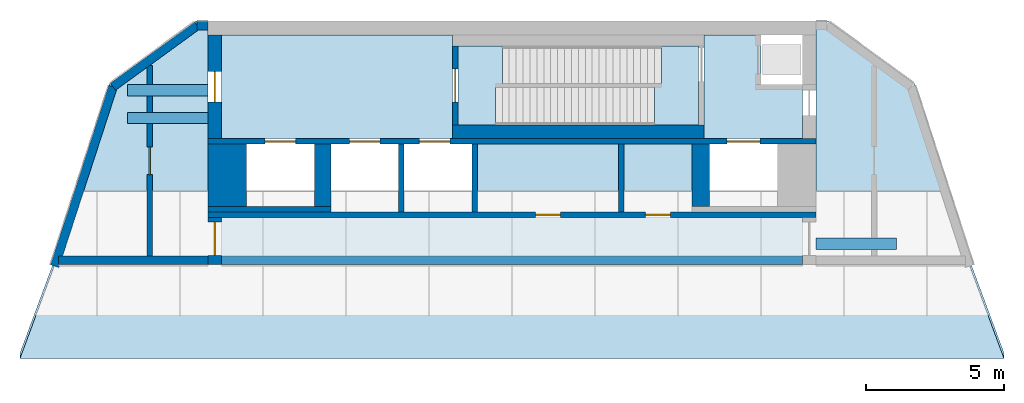
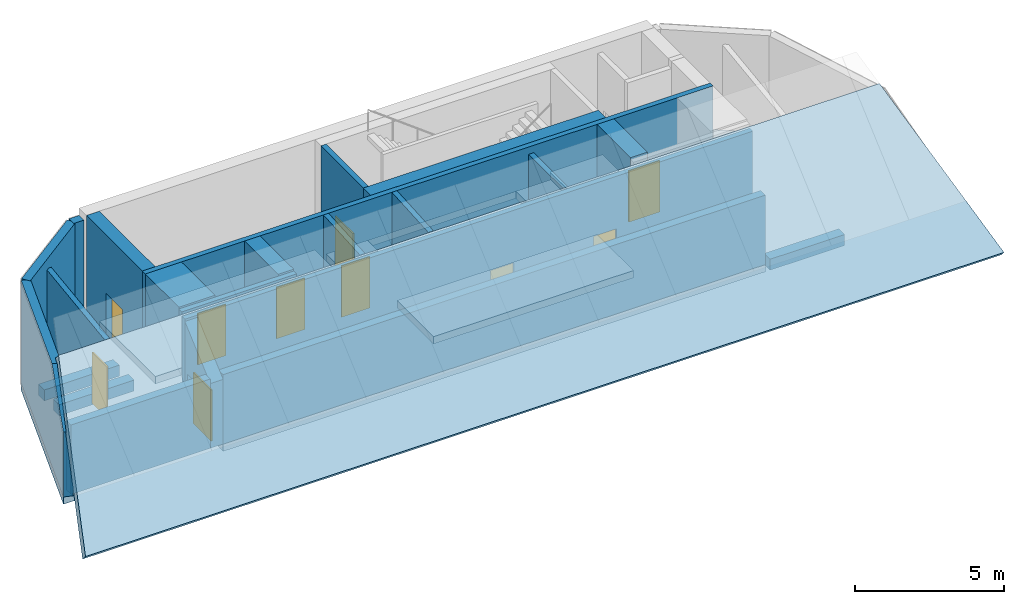
# One storey, part 1 of 4: 19 walls, 10 doors, 8 slabs, 3 beams, 10 openings.
"""IFC4 building model written with IfcOpenShell, lengths in metres."""

from ifc_helpers import new_model, si_unit, direction, frame, frame_2d, origin, origin_2d, place, context, subcontext, project, spatial, polyline, rectangle, outline, extrude, material, layer, layer_set, material_profile, profile_set, type_object, element, fill, save


model = new_model("IFC4")

# Units and contexts
model_context = context("Model", 3, precision=1e-05, world=origin(), true_north=direction((0.0, 1.0)))
body_context = subcontext(model_context, "Body", "Model", "MODEL_VIEW")
ifc_project = project(units=[si_unit("LENGTHUNIT", "METRE"), si_unit("AREAUNIT", "SQUARE_METRE"), si_unit("VOLUMEUNIT", "CUBIC_METRE"), si_unit("PLANEANGLEUNIT", "RADIAN"), si_unit("MASSUNIT", "GRAM", prefix="KILO")], contexts=[model_context])

# Site, building, storey
site_placement = place(None, origin())
site = spatial("IfcSite", under=ifc_project, at=site_placement, CompositionType="ELEMENT")
building_placement = place(site_placement, origin())
building = spatial("IfcBuilding", under=site, at=building_placement, Name="White Candle Pilgrim Tower", CompositionType="ELEMENT")
storey_placement = place(building_placement, frame((0.0, 0.0, 351.199951171875)))
storey = spatial("IfcBuildingStorey", under=building, at=storey_placement, Name="L82", CompositionType="ELEMENT", Elevation=351.199951171875)

# Beams
ifc_material_1 = material(Name="Concrete C50/60", Category="concrete")
ifc_material_profile = material_profile(ifc_material_1, rectangle(XDim=0.39990234375, YDim=0.449951171875, at=origin_2d()), Name="RC-BM 400x450")
ifc_profile_set = profile_set([ifc_material_profile], Name="Concrete C50/60")
beam_type = type_object("IfcBeamType", Name="Spandrel beam RC-BM 400x450 C50/60", PredefinedType="BEAM", material=ifc_profile_set)
for number, where, z_axis, x_axis, name in (
    (1, (59.0, 84.5, -0.52490234375), (-1.0, 0.0, 0.0), (0.0, -1.0, 0.0), "L82 bracket beam TR01"),
    (2, (59.0, 85.5, -0.52490234375), (-1.0, 0.0, 0.0), (0.0, -1.0, 0.0), "L82 bracket beam TR02"),
    (3, (81.0, 79.949951171875, -0.52490234375), (1.0, 0.0, 0.0), (0.0, 1.0, 0.0), "L82 bracket beam TR03"),
):
    element("IfcBeam", number, at=place(storey_placement, frame(where, z_axis=z_axis, x_axis=x_axis)), inside=storey, type_object=beam_type, Name=name, PredefinedType="BEAM", context=body_context, shape_type="SweptSolid", body=[
        extrude(rectangle(XDim=0.39990234375, YDim=0.449951171875, at=origin_2d()), origin(), (0.0, 0.0, 1.0), 2.89990234375),
    ])

# Slabs
ifc_material_2 = material(Name="Concrete C40/50", Category="concrete")
ifc_layer_1 = layer(ifc_material_2, 0.300048828125)
ifc_layer_set_1 = layer_set([ifc_layer_1], Name="Core floor slab 300 mm Concrete C40/50")
slab_type_1 = type_object("IfcSlabType", Name="Core floor slab 300 mm Concrete C40/50", PredefinedType="FLOOR", material=ifc_layer_set_1)
slab_1_placement = place(storey_placement, frame((0.0, 0.0, -0.300048828125)))
element("IfcSlab", 4, at=slab_1_placement, inside=storey, type_object=slab_type_1, Name="CF-L82-01", PredefinedType="FLOOR", context=body_context, shape_type="SweptSolid", body=[
    extrude(outline(polyline([(80.5, 85.5), (80.5, 83.75), (76.949951171875, 83.75), (76.949951171875, 84.25), (76.949951171875, 87.10009765625), (76.949951171875, 87.5), (79.0, 87.5), (79.0, 85.699951171875), (80.5, 85.699951171875), (80.5, 85.5)])), origin(), (0.0, 0.0, 1.0), 0.300048828125),
])
slab_2_placement = place(storey_placement, frame((0.0, 0.0, -0.300048828125)))
element("IfcSlab", 5, at=slab_2_placement, inside=storey, type_object=slab_type_1, Name="CF-L82-02", PredefinedType="FLOOR", context=body_context, shape_type="SweptSolid", body=[
    extrude(outline(polyline([(80.5, 79.19091796875), (59.5, 79.19091796875), (59.5, 80.89990234375), (80.5, 80.89990234375), (80.5, 79.19091796875)])), origin(), (0.0, 0.0, 1.0), 0.300048828125),
])
slab_3_placement = place(storey_placement, frame((0.0, 0.0, -0.300048828125)))
element("IfcSlab", 6, at=slab_3_placement, inside=storey, type_object=slab_type_1, Name="CF-L82-03", PredefinedType="FLOOR", context=body_context, shape_type="SweptSolid", body=[
    extrude(outline(polyline([(59.5, 87.5), (67.85009765625, 87.5), (67.85009765625, 87.10009765625), (67.85009765625, 84.25), (67.85009765625, 83.75), (59.5, 83.75), (59.5, 87.5)])), origin(), (0.0, 0.0, 1.0), 0.300048828125),
])
slab_4_placement = place(storey_placement, frame((0.0, 0.0, -0.300048828125)))
element("IfcSlab", 7, at=slab_4_placement, inside=storey, type_object=slab_type_1, Name="CF-L82-04", PredefinedType="FLOOR", context=body_context, shape_type="SweptSolid", body=[
    extrude(outline(polyline([(76.5, 83.550048828125), (76.5, 81.300048828125), (76.5, 81.10009765625), (68.75, 81.10009765625), (68.75, 83.550048828125), (76.5, 83.550048828125)])), origin(), (0.0, 0.0, 1.0), 0.300048828125),
])
slab_5_placement = place(storey_placement, frame((0.0, 0.0, -0.300048828125)))
element("IfcSlab", 8, at=slab_5_placement, inside=storey, type_object=slab_type_1, Name="CF-L82-05", PredefinedType="FLOOR", context=body_context, shape_type="SweptSolid", body=[
    extrude(outline(polyline([(68.050048828125, 87.10009765625), (76.75, 87.10009765625), (76.75, 84.25), (68.050048828125, 84.25), (68.050048828125, 87.10009765625)]), holes=[polyline([(75.14794921875, 84.251953125), (75.14794921875, 85.597900390625), (69.402099609375, 85.597900390625), (69.402099609375, 84.251953125), (75.14794921875, 84.251953125)]), polyline([(69.652099609375, 85.751953125), (75.39794921875, 85.751953125), (75.39794921875, 87.097900390625), (69.652099609375, 87.097900390625), (69.652099609375, 85.751953125)])]), origin(), (0.0, 0.0, 1.0), 0.300048828125),
])
ifc_layer_2 = layer(ifc_material_2, 0.300048828125)
ifc_layer_set_2 = layer_set([ifc_layer_2], Name="Floor slab 300 REI 120")
slab_type_2 = type_object("IfcSlabType", Name="Floor slab 300 REI 120", PredefinedType="FLOOR", material=ifc_layer_set_2)
slab_6_placement = place(storey_placement, frame((0.0, 0.0, -0.300048828125)))
element("IfcSlab", 9, at=slab_6_placement, inside=storey, type_object=slab_type_2, Name="L82 floor slab", PredefinedType="FLOOR", context=body_context, shape_type="SweptSolid", body=[
    extrude(outline(polyline([(53.310302734375, 79.19091796875), (59.0, 79.19091796875), (59.0, 88.0), (58.56298828125, 88.0), (55.433837890625, 85.7265625), (53.310302734375, 79.19091796875)])), origin(), (0.0, 0.0, 1.0), 0.300048828125),
])
slab_7_placement = place(storey_placement, frame((0.0, 0.0, -0.300048828125)))
element("IfcSlab", 10, at=slab_7_placement, inside=storey, type_object=slab_type_2, Name="L82 floor slab 2", PredefinedType="FLOOR", context=body_context, shape_type="SweptSolid", body=[
    extrude(outline(polyline([(81.0, 79.19091796875), (86.689697265625, 79.19091796875), (84.566162109375, 85.7265625), (81.43701171875, 88.0), (81.0, 88.0), (81.0, 79.19091796875)])), origin(), (0.0, 0.0, 1.0), 0.300048828125),
])
ifc_layer_3 = layer(ifc_material_2, 0.300048828125)
ifc_layer_set_3 = layer_set([ifc_layer_3], Name="Roof slab 300 REI 120")
slab_type_3 = type_object("IfcSlabType", Name="Roof slab 300 REI 120", PredefinedType="ROOF", material=ifc_layer_set_3)
slab_8_placement = place(storey_placement, frame((52.258056640625, 75.933837890625, 0.1162109375), z_axis=(0.0, -0.662898563541, 0.748709218893), x_axis=(0.268379143899, 0.721241595478, 0.638579044499)))
element("IfcSlab", 11, at=slab_8_placement, inside=storey, type_object=slab_type_3, Name="Roof slab L82-01", PredefinedType="ROOF", context=body_context, shape_type="SweptSolid", body=[
    extrude(outline(polyline([(0.0, 0.0), (0.21741484277545942, -3.469446951953614e-18), (0.43460826021195464, 0.00019174931980318888), (0.6518671999003783, 0.00014831471311986533), (0.8692165204239093, 0.00038349863960637776), (1.086299375738437, 0.0002910069188615666), (1.3034927931749323, 0.00048275623866478323), (1.5208421136984631, 0.0007179401651512818), (1.7381010533868868, 0.000674505558467986), (1.955294470823382, 0.0008662548782711887), (2.172643791346913, 0.0011014388047576873), (2.3899027310353365, 0.0010580041980743915), (2.607096148471832, 0.0012497535178775387), (2.8245109912472914, 0.0012497535178775387), (3.0415283243098905, 0.00139244572361924), (3.258787263998314, 0.0013490111169359165), (3.4759806814348098, 0.0015407604367391192), (3.6933955242102687, 0.0015407604367391192), (3.910588941646764, 0.0017325097565423775), (4.127782359083259, 0.0019242590763455802), (4.345197201858719, 0.0019242590763455802), (4.562214534921318, 0.002066951282087226), (4.779473474609741, 0.0020235166754039025), (4.996822795133273, 0.0022587006018903732), (5.214081734821697, 0.0022152659952070497), (5.431275152258191, 0.002407015315010197), (5.648624472781723, 0.0026421992414967788), (5.86570732809625, 0.0025497075207520092), (6.082900745532745, 0.0027414568405551565), (6.300315588308205, 0.0027414568405551565), (6.517509005744699, 0.0029332061603583037), (6.734702423181195, 0.003124955480161562), (6.864031579453311, 0.0029143686230361787), (15.39987742718042, -30.635436470481398), (15.289287634959843, -30.702488486599417), (15.103282809441293, -30.814627784926802), (14.91727798392274, -30.92676708325419), (14.73118277756908, -31.039185000114742), (14.545177952050526, -31.151324298442127), (14.359414733157799, -31.263649723581942), (14.173254004552211, -31.375832456516008), (13.987249179033657, -31.487971754843397), (13.801309875767036, -31.600346237097263), (13.615149147161446, -31.712528970031332), (13.429209843894823, -31.8249034522852), (13.243381102750167, -31.936993693498522), (13.057285896396507, -32.04941161035908), (12.871281070877954, -32.161550908686465), (12.685276245359402, -32.27369020701386), (12.499181039005745, -32.38610812387441), (12.313176213487191, -32.498247422201786), (12.127236910220567, -32.61062190445566), (11.941408169075912, -32.722712145668986), (11.755312962722252, -32.83513006252954), (11.5693081372037, -32.94726936085692), (11.383368833937077, -33.0596438431108), (11.197208105331487, -33.171826576044865), (11.011203279812936, -33.28396587437225), (10.82526397654631, -33.39634035662612), (10.639103247940723, -33.508523089560185), (10.45309842242217, -33.62066238788758), (10.267335203529443, -33.73298781302738), (10.081174474923856, -33.84517054596145), (9.895235171657232, -33.95754502821533), (9.709230346138678, -34.069684326542706), (9.52313513978502, -34.182102243403264), (9.36723080533373, -34.275971444920415), (-0.18198219071881494, -0.00026599877551827106), (0.0, 0.0)])), origin(), (0.0, 0.0, -1.0), 0.300048828125),
])

# Wall
ifc_layer_4 = layer(ifc_material_2, 1.39990234375)
ifc_layer_set_4 = layer_set([ifc_layer_4], Name="Core wall 1400 mm Concrete C40/50")
wall_type_1 = type_object("IfcWallType", Name="Core wall 1400 mm Concrete C40/50", PredefinedType="SHEAR", material=ifc_layer_set_4)
wall_1_placement = place(storey_placement, frame((59.699951171875, 81.300048828125, 0.0), z_axis=(0.0, 0.0, 1.0), x_axis=(0.0, 1.0, 0.0)))
element("IfcWall", 12, at=wall_1_placement, inside=storey, type_object=wall_type_1, Name="WL-L82-C09", PredefinedType="SHEAR", context=body_context, shape_type="SweptSolid", body=[
    extrude(rectangle(XDim=2.25, YDim=1.39990234375, at=frame_2d((1.125, 0.0))), origin(), (0.0, 0.0, 1.0), 4.5),
])

# Wall, openings, doors
ifc_layer_5 = layer(ifc_material_2, 0.199951171875)
ifc_layer_set_5 = layer_set([ifc_layer_5], Name="Core wall 200 mm Concrete C40/50")
wall_type_2 = type_object("IfcWallType", Name="Core wall 200 mm Concrete C40/50", PredefinedType="SHEAR", material=ifc_layer_set_5)
wall_2_placement = place(storey_placement, frame((59.0, 81.0, 0.0), z_axis=(0.0, 0.0, 1.0), x_axis=(1.0, 0.0, 0.0)))
wall_2 = element("IfcWall", 13, at=wall_2_placement, inside=storey, type_object=wall_type_2, Name="WL-L82-C03", PredefinedType="SHEAR", context=body_context, shape_type="SweptSolid", body=[
    extrude(rectangle(XDim=22.0, YDim=0.199951171875, at=frame_2d((11.0, 0.0))), origin(), (0.0, 0.0, 1.0), 4.251953125),
])
opening_1_placement = place(wall_2_placement, frame((11.85009765625, 0.0, 0.0)))
opening_1 = element("IfcOpeningElement", 14, at=opening_1_placement, cuts=wall_2, Name="Opening L82-012", PredefinedType="OPENING", context=body_context, shape_type="SweptSolid", body=[
    extrude(rectangle(XDim=0.89990234375, YDim=2.10009765625, at=frame_2d((0.449951171875, 1.050048828125))), frame((0.0, 0.10986328125, 0.0), z_axis=(0.0, -1.0, 0.0), x_axis=(1.0, 0.0, 0.0)), (0.0, 0.0, 1.0), 0.219970703125),
])
opening_2_placement = place(wall_2_placement, frame((15.824951171875, 0.0, 0.0)))
opening_2 = element("IfcOpeningElement", 15, at=opening_2_placement, cuts=wall_2, Name="Opening L82-013", PredefinedType="OPENING", context=body_context, shape_type="SweptSolid", body=[
    extrude(rectangle(XDim=0.89990234375, YDim=2.10009765625, at=frame_2d((0.449951171875, 1.050048828125))), frame((0.0, 0.10986328125, 0.0), z_axis=(0.0, -1.0, 0.0), x_axis=(1.0, 0.0, 0.0)), (0.0, 0.0, 1.0), 0.219970703125),
])
ifc_material_3 = material(Name="Steel door leaf", Category="steel")
door_type_1 = type_object("IfcDoorType", Name="Fire door 900 x 2100 EI 30", OperationType="NOTDEFINED", PredefinedType="DOOR", material=ifc_material_3)
door_1_placement = place(opening_1_placement, origin())
door_1 = element("IfcDoor", 16, at=door_1_placement, inside=storey, type_object=door_type_1, Name="Door L82-012", OperationType="SINGLE_SWING_LEFT", OverallHeight=2.10009765625, OverallWidth=0.89990234375, PredefinedType="DOOR", context=body_context, shape_type="SweptSolid", body=[
    extrude(rectangle(XDim=0.89990234375, YDim=2.10009765625, at=frame_2d((0.449951171875, 1.050048828125))), frame((0.0, 0.02490234375, 0.0), z_axis=(0.0, -1.0, 0.0), x_axis=(1.0, 0.0, 0.0)), (0.0, 0.0, 1.0), 0.050048828125),
])
fill(opening_1, door_1)
door_2_placement = place(opening_2_placement, origin())
door_2 = element("IfcDoor", 17, at=door_2_placement, inside=storey, type_object=door_type_1, Name="Door L82-013", OperationType="SINGLE_SWING_RIGHT", OverallHeight=2.10009765625, OverallWidth=0.89990234375, PredefinedType="DOOR", context=body_context, shape_type="SweptSolid", body=[
    extrude(rectangle(XDim=0.89990234375, YDim=2.10009765625, at=frame_2d((0.449951171875, 1.050048828125))), frame((0.0, 0.02490234375, 0.0), z_axis=(0.0, -1.0, 0.0), x_axis=(1.0, 0.0, 0.0)), (0.0, 0.0, 1.0), 0.050048828125),
])
fill(opening_2, door_2)

# Wall
wall_3_placement = place(storey_placement, frame((59.0, 81.199951171875, 0.0), z_axis=(0.0, 0.0, 1.0), x_axis=(1.0, 0.0, 0.0)))
element("IfcWall", 18, at=wall_3_placement, inside=storey, type_object=wall_type_2, Name="WL-L82-C04", PredefinedType="SHEAR", context=body_context, shape_type="SweptSolid", body=[
    extrude(rectangle(XDim=4.449951171875, YDim=0.199951171875, at=frame_2d((2.22509765625, 0.0))), origin(), (0.0, 0.0, 1.0), 4.428955078125),
])

# Wall, openings, doors
wall_4_placement = place(storey_placement, frame((59.0, 83.64990234375, 0.0), z_axis=(0.0, 0.0, 1.0), x_axis=(1.0, 0.0, 0.0)))
wall_4 = element("IfcWall", 19, at=wall_4_placement, inside=storey, type_object=wall_type_2, Name="WL-L82-C13", PredefinedType="SHEAR", context=body_context, shape_type="SweptSolid", body=[
    extrude(rectangle(XDim=22.0, YDim=0.199951171875, at=frame_2d((11.0, 0.0))), origin(), (0.0, 0.0, 1.0), 4.5),
])
opening_3_placement = place(wall_4_placement, frame((5.125, 0.0, 0.0)))
opening_3 = element("IfcOpeningElement", 20, at=opening_3_placement, cuts=wall_4, Name="Opening L82-007", PredefinedType="OPENING", context=body_context, shape_type="SweptSolid", body=[
    extrude(rectangle(XDim=1.10009765625, YDim=2.10009765625, at=frame_2d((0.550048828125, 1.050048828125))), frame((0.0, 0.10986328125, 0.0), z_axis=(0.0, -1.0, 0.0), x_axis=(1.0, 0.0, 0.0)), (0.0, 0.0, 1.0), 0.219970703125),
])
opening_4_placement = place(wall_4_placement, frame((7.64990234375, 0.0, 0.0)))
opening_4 = element("IfcOpeningElement", 21, at=opening_4_placement, cuts=wall_4, Name="Opening L82-008", PredefinedType="OPENING", context=body_context, shape_type="SweptSolid", body=[
    extrude(rectangle(XDim=1.10009765625, YDim=2.10009765625, at=frame_2d((0.550048828125, 1.050048828125))), frame((0.0, 0.10986328125, 0.0), z_axis=(0.0, -1.0, 0.0), x_axis=(1.0, 0.0, 0.0)), (0.0, 0.0, 1.0), 0.219970703125),
])
opening_5_placement = place(wall_4_placement, frame((18.77490234375, 0.0, 0.0)))
opening_5 = element("IfcOpeningElement", 22, at=opening_5_placement, cuts=wall_4, Name="Opening L82-009", PredefinedType="OPENING", context=body_context, shape_type="SweptSolid", body=[
    extrude(rectangle(XDim=1.199951171875, YDim=2.10009765625, at=frame_2d((0.60009765625, 1.050048828125))), frame((0.0, 0.10986328125, 0.0), z_axis=(0.0, -1.0, 0.0), x_axis=(1.0, 0.0, 0.0)), (0.0, 0.0, 1.0), 0.219970703125),
])
opening_6_placement = place(wall_4_placement, frame((2.074951171875, 0.0, 0.0)))
opening_6 = element("IfcOpeningElement", 23, at=opening_6_placement, cuts=wall_4, Name="Opening L82-010", PredefinedType="OPENING", context=body_context, shape_type="SweptSolid", body=[
    extrude(rectangle(XDim=1.10009765625, YDim=2.10009765625, at=frame_2d((0.550048828125, 1.050048828125))), frame((0.0, 0.10986328125, 0.0), z_axis=(0.0, -1.0, 0.0), x_axis=(1.0, 0.0, 0.0)), (0.0, 0.0, 1.0), 0.219970703125),
])
ifc_material_4 = material(Name="Stainless steel", Category="steel")
door_type_2 = type_object("IfcDoorType", Name="Lift landing door 1100 x 2100 EI 60", OperationType="DOUBLE_DOOR_SLIDING", PredefinedType="DOOR", material=ifc_material_4)
door_3_placement = place(opening_3_placement, origin())
door_3 = element("IfcDoor", 24, at=door_3_placement, inside=storey, type_object=door_type_2, Name="Door L82-007", OperationType="DOUBLE_DOOR_SLIDING", OverallHeight=2.10009765625, OverallWidth=1.10009765625, PredefinedType="DOOR", context=body_context, shape_type="SweptSolid", body=[
    extrude(rectangle(XDim=1.10009765625, YDim=2.10009765625, at=frame_2d((0.550048828125, 1.050048828125))), frame((0.0, 0.02490234375, 0.0), z_axis=(0.0, -1.0, 0.0), x_axis=(1.0, 0.0, 0.0)), (0.0, 0.0, 1.0), 0.050048828125),
])
fill(opening_3, door_3)
door_4_placement = place(opening_4_placement, origin())
door_4 = element("IfcDoor", 25, at=door_4_placement, inside=storey, type_object=door_type_2, Name="Door L82-008", OperationType="DOUBLE_DOOR_SLIDING", OverallHeight=2.10009765625, OverallWidth=1.10009765625, PredefinedType="DOOR", context=body_context, shape_type="SweptSolid", body=[
    extrude(rectangle(XDim=1.10009765625, YDim=2.10009765625, at=frame_2d((0.550048828125, 1.050048828125))), frame((0.0, 0.02490234375, 0.0), z_axis=(0.0, -1.0, 0.0), x_axis=(1.0, 0.0, 0.0)), (0.0, 0.0, 1.0), 0.050048828125),
])
fill(opening_4, door_4)
door_5_placement = place(opening_6_placement, origin())
door_5 = element("IfcDoor", 26, at=door_5_placement, inside=storey, type_object=door_type_2, Name="Door L82-010", OperationType="DOUBLE_DOOR_SLIDING", OverallHeight=2.10009765625, OverallWidth=1.10009765625, PredefinedType="DOOR", context=body_context, shape_type="SweptSolid", body=[
    extrude(rectangle(XDim=1.10009765625, YDim=2.10009765625, at=frame_2d((0.550048828125, 1.050048828125))), frame((0.0, 0.02490234375, 0.0), z_axis=(0.0, -1.0, 0.0), x_axis=(1.0, 0.0, 0.0)), (0.0, 0.0, 1.0), 0.050048828125),
])
fill(opening_6, door_5)
door_type_3 = type_object("IfcDoorType", Name="Lift landing door 1200 x 2100 E 60", OperationType="DOUBLE_DOOR_SLIDING", PredefinedType="DOOR", material=ifc_material_4)
door_6_placement = place(opening_5_placement, origin())
door_6 = element("IfcDoor", 27, at=door_6_placement, inside=storey, type_object=door_type_3, Name="Door L82-009", OperationType="DOUBLE_DOOR_SLIDING", OverallHeight=2.10009765625, OverallWidth=1.199951171875, PredefinedType="DOOR", context=body_context, shape_type="SweptSolid", body=[
    extrude(rectangle(XDim=1.199951171875, YDim=2.10009765625, at=frame_2d((0.60009765625, 1.050048828125))), frame((0.0, 0.02490234375, 0.0), z_axis=(0.0, -1.0, 0.0), x_axis=(1.0, 0.0, 0.0)), (0.0, 0.0, 1.0), 0.050048828125),
])
fill(opening_5, door_6)

# Wall, opening, door
ifc_layer_6 = layer(ifc_material_2, 0.5)
ifc_layer_set_6 = layer_set([ifc_layer_6], Name="Core wall 500 mm Concrete C40/50")
wall_type_3 = type_object("IfcWallType", Name="Core wall 500 mm Concrete C40/50", PredefinedType="SHEAR", material=ifc_layer_set_6)
wall_5_placement = place(storey_placement, frame((59.25, 79.19091796875, 0.0), z_axis=(0.0, 0.0, 1.0), x_axis=(0.0, 1.0, 0.0)))
wall_5 = element("IfcWall", 28, at=wall_5_placement, inside=storey, type_object=wall_type_3, Name="WL-L82-C01", PredefinedType="SHEAR", context=body_context, shape_type="SweptSolid", body=[
    extrude(outline(polyline([(0.0, 0.0), (1.708984375, 0.0), (1.709228515625, 4.163330078125), (0.0, 2.650146484375), (0.0, 0.0)])), frame((0.0, 0.25, 0.0), z_axis=(0.0, -1.0, 0.0), x_axis=(1.0, 0.0, 0.0)), (0.0, 0.0, 1.0), 0.5),
])
opening_7_placement = place(wall_5_placement, frame((0.340087890625, 0.0, 0.0)))
opening_7 = element("IfcOpeningElement", 29, at=opening_7_placement, cuts=wall_5, Name="Opening L82-003", PredefinedType="OPENING", context=body_context, shape_type="SweptSolid", body=[
    extrude(rectangle(XDim=1.199951171875, YDim=2.10009765625, at=frame_2d((0.60009765625, 1.050048828125))), frame((0.0, 0.260009765625, 0.0), z_axis=(0.0, -1.0, 0.0), x_axis=(1.0, 0.0, 0.0)), (0.0, 0.0, 1.0), 0.52001953125),
])
door_type_4 = type_object("IfcDoorType", Name="Fire door 1200 x 2100 EI 60", OperationType="NOTDEFINED", PredefinedType="DOOR", material=ifc_material_3)
door_7_placement = place(opening_7_placement, origin())
door_7 = element("IfcDoor", 30, at=door_7_placement, inside=storey, type_object=door_type_4, Name="Door L82-003", OperationType="SINGLE_SWING_RIGHT", OverallHeight=2.10009765625, OverallWidth=1.199951171875, PredefinedType="DOOR", context=body_context, shape_type="SweptSolid", body=[
    extrude(rectangle(XDim=1.199951171875, YDim=2.10009765625, at=frame_2d((0.60009765625, 1.050048828125))), frame((0.0, 0.02490234375, 0.0), z_axis=(0.0, -1.0, 0.0), x_axis=(1.0, 0.0, 0.0)), (0.0, 0.0, 1.0), 0.050048828125),
])
fill(opening_7, door_7)

wall_6_placement = place(storey_placement, frame((59.25, 83.75, 0.0), z_axis=(0.0, 0.0, 1.0), x_axis=(0.0, 1.0, 0.0)))
wall_6 = element("IfcWall", 31, at=wall_6_placement, inside=storey, type_object=wall_type_3, Name="WL-L82-C14", PredefinedType="SHEAR", context=body_context, shape_type="SweptSolid", body=[
    extrude(rectangle(XDim=3.75, YDim=0.5, at=frame_2d((1.875, 0.0))), origin(), (0.0, 0.0, 1.0), 4.5),
])
opening_8_placement = place(wall_6_placement, frame((1.324951171875, 0.0, 0.0)))
opening_8 = element("IfcOpeningElement", 32, at=opening_8_placement, cuts=wall_6, Name="Opening L82-005", PredefinedType="OPENING", context=body_context, shape_type="SweptSolid", body=[
    extrude(rectangle(XDim=1.10009765625, YDim=2.10009765625, at=frame_2d((0.550048828125, 1.050048828125))), frame((0.0, 0.260009765625, 0.0), z_axis=(0.0, -1.0, 0.0), x_axis=(1.0, 0.0, 0.0)), (0.0, 0.0, 1.0), 0.52001953125),
])
door_type_5 = type_object("IfcDoorType", Name="Fire door 1100 x 2100 EI 60", OperationType="NOTDEFINED", PredefinedType="DOOR", material=ifc_material_3)
door_8_placement = place(opening_8_placement, origin())
door_8 = element("IfcDoor", 33, at=door_8_placement, inside=storey, type_object=door_type_5, Name="Door L82-005", OperationType="SINGLE_SWING_RIGHT", OverallHeight=2.10009765625, OverallWidth=1.10009765625, PredefinedType="DOOR", context=body_context, shape_type="SweptSolid", body=[
    extrude(rectangle(XDim=1.10009765625, YDim=2.10009765625, at=frame_2d((0.550048828125, 1.050048828125))), frame((0.0, 0.02490234375, 0.0), z_axis=(0.0, -1.0, 0.0), x_axis=(1.0, 0.0, 0.0)), (0.0, 0.0, 1.0), 0.050048828125),
])
fill(opening_8, door_8)

ifc_material_5 = material(Name="Gypsum board on steel studs", Category="steel")
ifc_layer_7 = layer(ifc_material_5, 0.199951171875)
ifc_layer_set_7 = layer_set([ifc_layer_7], Name="Corridor wall 200 mm EI 45")
wall_type_4 = type_object("IfcWallType", Name="Corridor wall 200 mm EI 45", PredefinedType="PARTITIONING", material=ifc_layer_set_7)
wall_7_placement = place(storey_placement, frame((56.89990234375, 79.5107421875, 0.0), z_axis=(0.0, 0.0, 1.0), x_axis=(0.0, 1.0, 0.0)))
wall_7 = element("IfcWall", 34, at=wall_7_placement, inside=storey, type_object=wall_type_4, Name="WL-L82-P001", PredefinedType="PARTITIONING", context=body_context, shape_type="SweptSolid", body=[
    extrude(outline(polyline([(0.0, 0.0), (6.885498046875, 0.0), (6.885498046875, 3.75), (0.0, 2.833251953125), (0.0, 0.0)])), frame((0.0, 0.10009765625, 0.0), z_axis=(0.0, -1.0, 0.0), x_axis=(1.0, 0.0, 0.0)), (0.0, 0.0, 1.0), 0.199951171875),
])
opening_9_placement = place(wall_7_placement, frame((2.942626953125, 0.0, 0.0)))
opening_9 = element("IfcOpeningElement", 35, at=opening_9_placement, cuts=wall_7, Name="Opening L82-101", PredefinedType="OPENING", context=body_context, shape_type="SweptSolid", body=[
    extrude(rectangle(XDim=1.0, YDim=2.10009765625, at=frame_2d((0.5, 1.050048828125))), frame((0.0, 0.10986328125, 0.0), z_axis=(0.0, -1.0, 0.0), x_axis=(1.0, 0.0, 0.0)), (0.0, 0.0, 1.0), 0.219970703125),
])
door_type_6 = type_object("IfcDoorType", Name="Fire door 1000 x 2100 EI 30", OperationType="NOTDEFINED", PredefinedType="DOOR", material=ifc_material_3)
door_9_placement = place(opening_9_placement, origin())
door_9 = element("IfcDoor", 36, at=door_9_placement, inside=storey, type_object=door_type_6, Name="Door L82-101", OperationType="SINGLE_SWING_LEFT", OverallHeight=2.10009765625, OverallWidth=1.0, PredefinedType="DOOR", context=body_context, shape_type="SweptSolid", body=[
    extrude(rectangle(XDim=1.0, YDim=2.10009765625, at=frame_2d((0.5, 1.050048828125))), frame((0.0, 0.02490234375, 0.0), z_axis=(0.0, -1.0, 0.0), x_axis=(1.0, 0.0, 0.0)), (0.0, 0.0, 1.0), 0.050048828125),
])
fill(opening_9, door_9)

# Walls
ifc_material_6 = material(Name="Precast concrete C40/50", Category="concrete")
ifc_layer_8 = layer(ifc_material_6, 0.320068359375)
ifc_layer_set_8 = layer_set([ifc_layer_8], Name="Facade wall EW4 precast concrete C40/50 crown wall with zinc cladding")
wall_type_5 = type_object("IfcWallType", Name="Facade wall EW4 precast concrete C40/50 crown wall with zinc cladding", PredefinedType="SOLIDWALL", material=ifc_layer_set_8)
wall_8_placement = place(storey_placement, frame((59.0, 87.840087890625, 0.0), z_axis=(0.0, 0.0, 1.0), x_axis=(-1.0, 0.0, 0.0)))
element("IfcWall", 37, at=wall_8_placement, inside=storey, type_object=wall_type_5, Name="Crown wall L82 N", PredefinedType="SOLIDWALL", context=body_context, shape_type="SweptSolid", body=[
    extrude(rectangle(XDim=0.385009765625, YDim=0.320068359375, at=frame_2d((0.1923828125, 0.0))), origin(), (0.0, 0.0, 1.0), 4.199951171875),
])
wall_9_placement = place(storey_placement, frame((58.614990234375, 87.840087890625, 0.0), z_axis=(0.0, 0.0, 1.0), x_axis=(-0.809022082061, -0.58777824963, 0.0)))
element("IfcWall", 38, at=wall_9_placement, inside=storey, type_object=wall_type_5, Name="Crown wall L82 NW chamfer", PredefinedType="SOLIDWALL", context=body_context, shape_type="SweptSolid", body=[
    extrude(rectangle(XDim=3.763916015625, YDim=0.320068359375, at=frame_2d((1.8818359375, 0.0))), origin(), (0.0, 0.0, 1.0), 4.199951171875),
])
wall_10_placement = place(storey_placement, frame((55.56982421875, 85.627685546875, 0.0), z_axis=(0.0, 0.0, 1.0), x_axis=(-0.309001889909, -0.951061423901, 0.0)))
element("IfcWall", 39, at=wall_10_placement, inside=storey, type_object=wall_type_5, Name="Crown wall L82 WNW", PredefinedType="SOLIDWALL", context=body_context, shape_type="SweptSolid", body=[
    extrude(outline(polyline([(0.0, 0.0), (6.820068359375, 0.0), (6.820068359375, 2.65625), (4.98681640625, 4.199951171875), (0.0, 4.199951171875), (0.0, 0.0)])), frame((0.0, 0.16015625, 0.0), z_axis=(0.0, -1.0, 0.0), x_axis=(1.0, 0.0, 0.0)), (0.0, 0.0, 1.0), 0.320068359375),
])
wall_11_placement = place(storey_placement, frame((53.60400390625, 79.350830078125, 0.0), z_axis=(0.0, 0.0, 1.0), x_axis=(1.0, 0.0, 0.0)))
element("IfcWall", 40, at=wall_11_placement, inside=storey, type_object=wall_type_5, Name="Crown wall L82 S", PredefinedType="SOLIDWALL", context=body_context, shape_type="SweptSolid", body=[
    extrude(rectangle(XDim=5.39599609375, YDim=0.320068359375, at=frame_2d((2.697998046875, 0.0))), origin(), (0.0, 0.0, 1.0), 2.841796875),
])
wall_12_placement = place(storey_placement, frame((59.5, 79.350830078125, 0.0), z_axis=(0.0, 0.0, 1.0), x_axis=(1.0, 0.0, 0.0)))
element("IfcWall", 41, at=wall_12_placement, inside=storey, type_object=wall_type_5, Name="Crown wall L82 S", PredefinedType="SOLIDWALL", context=body_context, shape_type="SweptSolid", body=[
    extrude(rectangle(XDim=21.0, YDim=0.320068359375, at=frame_2d((10.5, 0.0))), origin(), (0.0, 0.0, 1.0), 2.841796875),
])
ifc_layer_9 = layer(ifc_material_5, 0.199951171875)
ifc_layer_set_9 = layer_set([ifc_layer_9], Name="Lobby wall 200 mm EI 60")
wall_type_6 = type_object("IfcWallType", Name="Lobby wall 200 mm EI 60", PredefinedType="PARTITIONING", material=ifc_layer_set_9)
wall_13_placement = place(storey_placement, frame((73.949951171875, 81.10009765625, 0.0), z_axis=(0.0, 0.0, 1.0), x_axis=(0.0, 1.0, 0.0)))
element("IfcWall", 42, at=wall_13_placement, inside=storey, type_object=wall_type_6, Name="WL-L82-C07", PredefinedType="PARTITIONING", context=body_context, shape_type="SweptSolid", body=[
    extrude(rectangle(XDim=2.449951171875, YDim=0.199951171875, at=frame_2d((1.22509765625, 0.0))), origin(), (0.0, 0.0, 1.0), 4.199951171875),
])
ifc_layer_10 = layer(ifc_material_2, 0.199951171875)
ifc_layer_set_10 = layer_set([ifc_layer_10], Name="Shaft wall 200 mm Concrete C40/50")
wall_type_7 = type_object("IfcWallType", Name="Shaft wall 200 mm Concrete C40/50", PredefinedType="SHEAR", material=ifc_layer_set_10)
for number, where, z_axis, x_axis, name in (
    (43, (66.0, 81.10009765625, 0.0), (0.0, 0.0, 1.0), (0.0, 1.0, 0.0), "WL-L82-C05"),
    (44, (68.64990234375, 81.10009765625, 0.0), (0.0, 0.0, 1.0), (0.0, 1.0, 0.0), "WL-L82-C06"),
):
    element("IfcWall", number, at=place(storey_placement, frame(where, z_axis=z_axis, x_axis=x_axis)), inside=storey, type_object=wall_type_7, Name=name, PredefinedType="SHEAR", context=body_context, shape_type="SweptSolid", body=[
        extrude(outline(polyline([(0.0, 0.0), (2.449951171875, 0.0), (2.449951171875, 4.5), (0.0, 4.340576171875), (0.0, 0.0)])), frame((0.0, 0.10009765625, 0.0), z_axis=(0.0, -1.0, 0.0), x_axis=(1.0, 0.0, 0.0)), (0.0, 0.0, 1.0), 0.199951171875),
    ])
ifc_layer_11 = layer(ifc_material_2, 0.60009765625)
ifc_layer_set_11 = layer_set([ifc_layer_11], Name="Shaft wall 600 mm Concrete C40/50")
wall_type_8 = type_object("IfcWallType", Name="Shaft wall 600 mm Concrete C40/50", PredefinedType="SHEAR", material=ifc_layer_set_11)
wall_14_placement = place(storey_placement, frame((63.14990234375, 81.300048828125, 0.0), z_axis=(0.0, 0.0, 1.0), x_axis=(0.0, 1.0, 0.0)))
element("IfcWall", 45, at=wall_14_placement, inside=storey, type_object=wall_type_8, Name="WL-L82-C10", PredefinedType="SHEAR", context=body_context, shape_type="SweptSolid", body=[
    extrude(rectangle(XDim=2.25, YDim=0.60009765625, at=frame_2d((1.125, 0.0))), origin(), (0.0, 0.0, 1.0), 4.5),
])
ifc_layer_12 = layer(ifc_material_2, 0.64990234375)
ifc_layer_set_12 = layer_set([ifc_layer_12], Name="Shaft wall 650 mm Concrete C40/50")
wall_type_9 = type_object("IfcWallType", Name="Shaft wall 650 mm Concrete C40/50", PredefinedType="SHEAR", material=ifc_layer_set_12)
wall_15_placement = place(storey_placement, frame((76.824951171875, 81.300048828125, 0.0), z_axis=(0.0, 0.0, 1.0), x_axis=(0.0, 1.0, 0.0)))
element("IfcWall", 46, at=wall_15_placement, inside=storey, type_object=wall_type_9, Name="WL-L82-C11", PredefinedType="SHEAR", context=body_context, shape_type="SweptSolid", body=[
    extrude(rectangle(XDim=2.25, YDim=0.64990234375, at=frame_2d((1.125, 0.0))), origin(), (0.0, 0.0, 1.0), 4.5),
])

# Wall, opening, door
ifc_layer_13 = layer(ifc_material_2, 0.199951171875)
ifc_layer_set_13 = layer_set([ifc_layer_13], Name="Stair shaft wall 200 mm Concrete C40/50")
wall_type_10 = type_object("IfcWallType", Name="Stair shaft wall 200 mm Concrete C40/50", PredefinedType="SHEAR", material=ifc_layer_set_13)
wall_16_placement = place(storey_placement, frame((67.949951171875, 84.25, 0.0), z_axis=(0.0, 0.0, 1.0), x_axis=(0.0, 1.0, 0.0)))
wall_16 = element("IfcWall", 47, at=wall_16_placement, inside=storey, type_object=wall_type_10, Name="WL-L82-C17", PredefinedType="SHEAR", context=body_context, shape_type="SweptSolid", body=[
    extrude(rectangle(XDim=2.85009765625, YDim=0.199951171875, at=frame_2d((1.425048828125, 0.0))), origin(), (0.0, 0.0, 1.0), 4.5),
])
opening_10_placement = place(wall_16_placement, frame((0.824951171875, 0.0, 0.0)))
opening_10 = element("IfcOpeningElement", 48, at=opening_10_placement, cuts=wall_16, Name="Opening L82-001", PredefinedType="OPENING", context=body_context, shape_type="SweptSolid", body=[
    extrude(rectangle(XDim=1.199951171875, YDim=2.10009765625, at=frame_2d((0.60009765625, 1.050048828125))), frame((0.0, 0.10986328125, 0.0), z_axis=(0.0, -1.0, 0.0), x_axis=(1.0, 0.0, 0.0)), (0.0, 0.0, 1.0), 0.219970703125),
])
door_10_placement = place(opening_10_placement, frame((1.199951171875, 0.0, 0.0), z_axis=(0.0, 0.0, 1.0), x_axis=(-1.0, 0.0, 0.0)))
door_10 = element("IfcDoor", 49, at=door_10_placement, inside=storey, type_object=door_type_4, Name="Door L82-001", OperationType="SINGLE_SWING_RIGHT", OverallHeight=2.10009765625, OverallWidth=1.199951171875, PredefinedType="DOOR", context=body_context, shape_type="SweptSolid", body=[
    extrude(rectangle(XDim=1.199951171875, YDim=2.10009765625, at=frame_2d((0.60009765625, 1.050048828125))), frame((0.0, 0.02490234375, 0.0), z_axis=(0.0, -1.0, 0.0), x_axis=(1.0, 0.0, 0.0)), (0.0, 0.0, 1.0), 0.050048828125),
])
fill(opening_10, door_10)

# Wall
ifc_layer_14 = layer(ifc_material_2, 0.5)
ifc_layer_set_14 = layer_set([ifc_layer_14], Name="Stair shaft wall 500 mm Concrete C40/50")
wall_type_11 = type_object("IfcWallType", Name="Stair shaft wall 500 mm Concrete C40/50", PredefinedType="SHEAR", material=ifc_layer_set_14)
wall_17_placement = place(storey_placement, frame((67.85009765625, 84.0, 0.0), z_axis=(0.0, 0.0, 1.0), x_axis=(1.0, 0.0, 0.0)))
element("IfcWall", 50, at=wall_17_placement, inside=storey, type_object=wall_type_11, Name="WL-L82-C15", PredefinedType="SHEAR", context=body_context, shape_type="SweptSolid", body=[
    extrude(rectangle(XDim=9.099853515625, YDim=0.5, at=frame_2d((4.5498046875, 0.0))), origin(), (0.0, 0.0, 1.0), 4.5),
])

save(model, "model.ifc")
